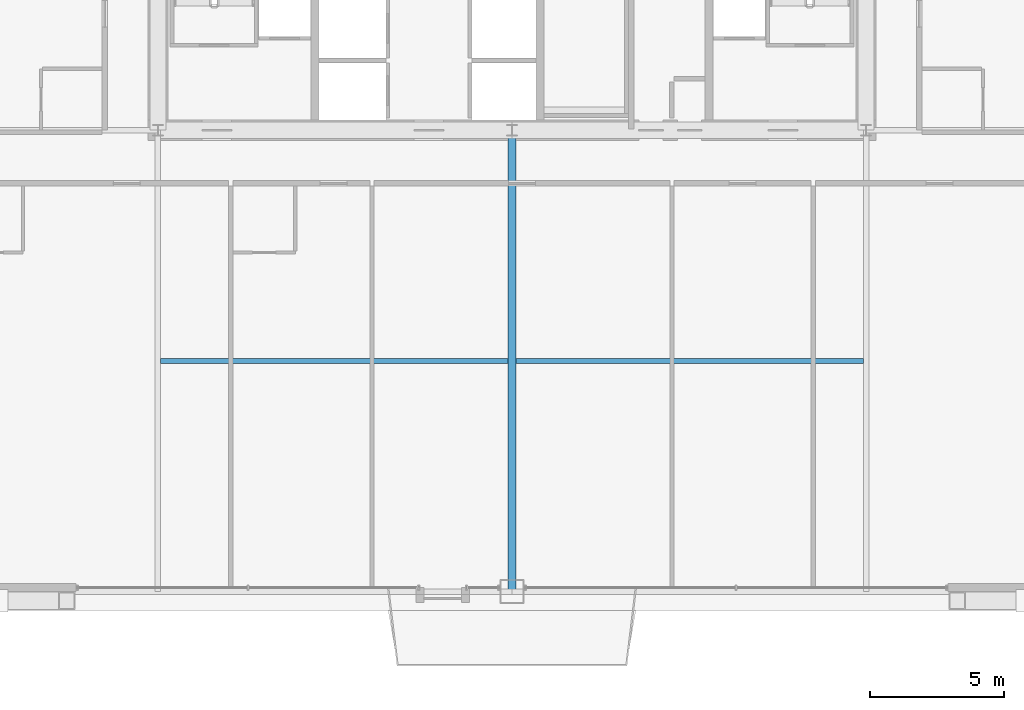
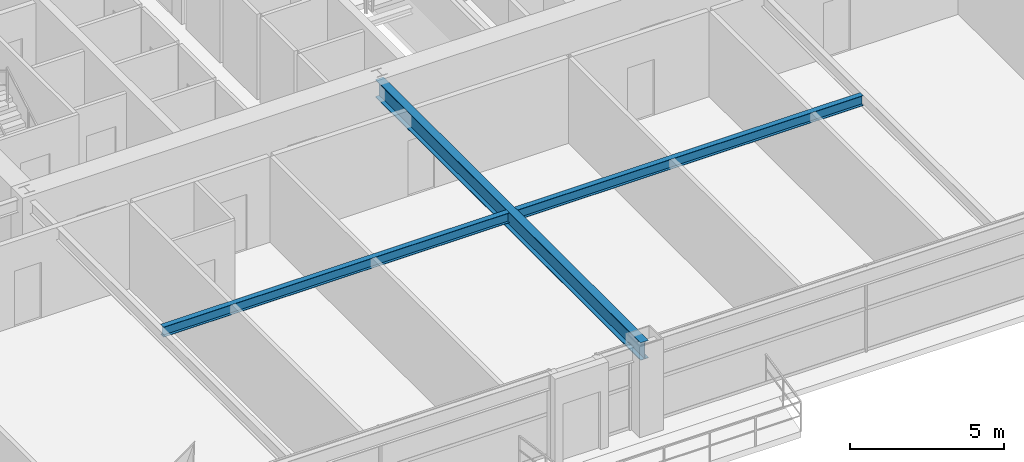
# One storey, part 10 of 43: 3 beams.
"""IFC4 building model written with IfcOpenShell, lengths in metres."""

from ifc_helpers import new_model, si_unit, direction, frame, origin, origin_2d, place, context, subcontext, project, spatial, i_section, extrude, source, transform, mapped, material, material_profile, profile_set, type_object, element, save


model = new_model("IFC4")

# Units and contexts
model_context = context("Model", 3, precision=1e-05, world=origin(), true_north=direction((0.0, 1.0)))
body_context = subcontext(model_context, "Body", "Model", "MODEL_VIEW")
ifc_project = project(units=[si_unit("LENGTHUNIT", "METRE"), si_unit("AREAUNIT", "SQUARE_METRE"), si_unit("VOLUMEUNIT", "CUBIC_METRE"), si_unit("PLANEANGLEUNIT", "RADIAN"), si_unit("MASSUNIT", "GRAM", prefix="KILO"), si_unit("THERMODYNAMICTEMPERATUREUNIT", "KELVIN"), si_unit("POWERUNIT", "WATT")], contexts=[model_context])

# Site, building, storey
site_placement = place(None, origin())
site = spatial("IfcSite", under=ifc_project, at=site_placement, CompositionType="ELEMENT")
building_placement = place(site_placement, origin())
building = spatial("IfcBuilding", under=site, at=building_placement, Name="Yuzanri Waterfront Tower", CompositionType="ELEMENT")
storey_placement = place(building_placement, frame((0.0, 0.0, 138.0)))
storey = spatial("IfcBuildingStorey", under=building, at=storey_placement, Name="L36", CompositionType="ELEMENT", Elevation=138.0)

# Beams
ifc_material_1 = material(Name="Steel Q355B", Category="steel")
ifc_material_profile_1 = material_profile(ifc_material_1, i_section(OverallWidth=0.199951171875, OverallDepth=0.39990234375, WebThickness=0.008056640625, FlangeThickness=0.012939453125, at=origin_2d()), Name="HN 400x200x8x13")
ifc_profile_set_1 = profile_set([ifc_material_profile_1], Name="Steel Q355B")
beam_type_1 = type_object("IfcBeamType", Name="Floor Joist Q355B HN 400x200", PredefinedType="JOIST", material=ifc_profile_set_1)
shared_shape_1 = source(origin(), body_context, "Body", "SweptSolid", [
    extrude(i_section(OverallWidth=0.199951171875, OverallDepth=0.39990234375, WebThickness=0.008056640625, FlangeThickness=0.012939453125, at=origin_2d()), origin(), (0.0, 0.0, 1.0), 12.9501953125),
])
for number, where, z_axis, x_axis, name in (
    (1, (23.89990234375, 10.800048828125, 3.179931640625), (1.0, 0.0, 0.0), (0.0, 1.0, 0.0), "L36 South Bay Joist W"),
    (2, (37.14990234375, 10.800048828125, 3.179931640625), (1.0, 0.0, 0.0), (0.0, 1.0, 0.0), "L36 South Bay Joist E"),
):
    element("IfcBeam", number, at=place(storey_placement, frame(where, z_axis=z_axis, x_axis=x_axis)), inside=storey, type_object=beam_type_1, Name=name, PredefinedType="JOIST", context=body_context, shape_type="MappedRepresentation", body=[
        mapped(shared_shape_1, transform((0.0, 0.0, 0.0), scale=1.0)),
    ])
ifc_material_2 = material(Name="Steel Q355B", Category="steel")
ifc_material_profile_2 = material_profile(ifc_material_2, i_section(OverallWidth=0.300048828125, OverallDepth=0.699951171875, WebThickness=0.012939453125, FlangeThickness=0.02392578125, at=origin_2d()), Name="HN 700x300x13x24")
ifc_profile_set_2 = profile_set([ifc_material_profile_2], Name="Steel Q355B")
beam_type_2 = type_object("IfcBeamType", Name="Primary Floor Girder Q355B HN 700x300", PredefinedType="BEAM", material=ifc_profile_set_2)
shared_shape_2 = source(origin(), body_context, "Body", "SweptSolid", [
    extrude(i_section(OverallWidth=0.300048828125, OverallDepth=0.699951171875, WebThickness=0.012939453125, FlangeThickness=0.02392578125, at=origin_2d()), origin(), (0.0, 0.0, 1.0), 17.199951171875),
])
beam_placement = place(storey_placement, frame((37.0, 19.39990234375, 3.030029296875), z_axis=(0.0, -1.0, 0.0), x_axis=(1.0, 0.0, 0.0)))
element("IfcBeam", 3, at=beam_placement, inside=storey, type_object=beam_type_2, Name="L36 South Grid Girder", PredefinedType="BEAM", context=body_context, shape_type="MappedRepresentation", body=[
    mapped(shared_shape_2, transform((0.0, 0.0, 0.0), scale=1.0)),
])

save(model, "model.ifc")
